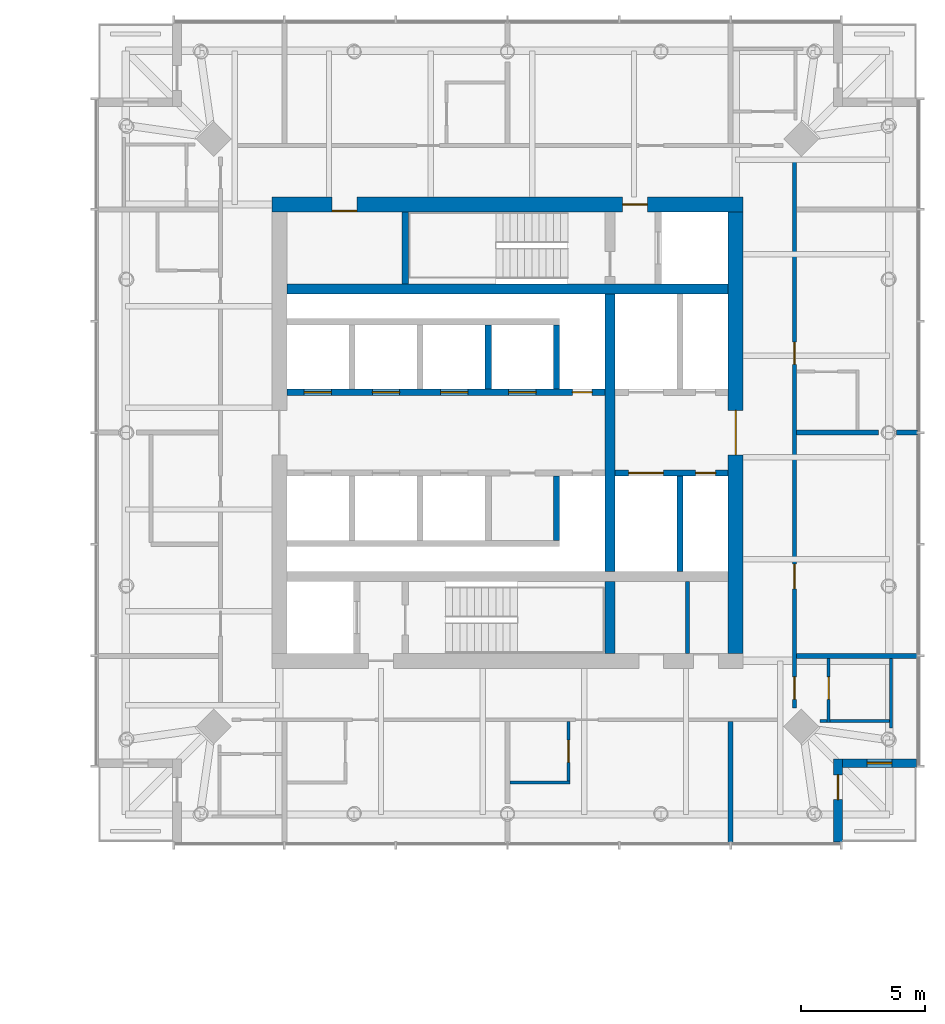
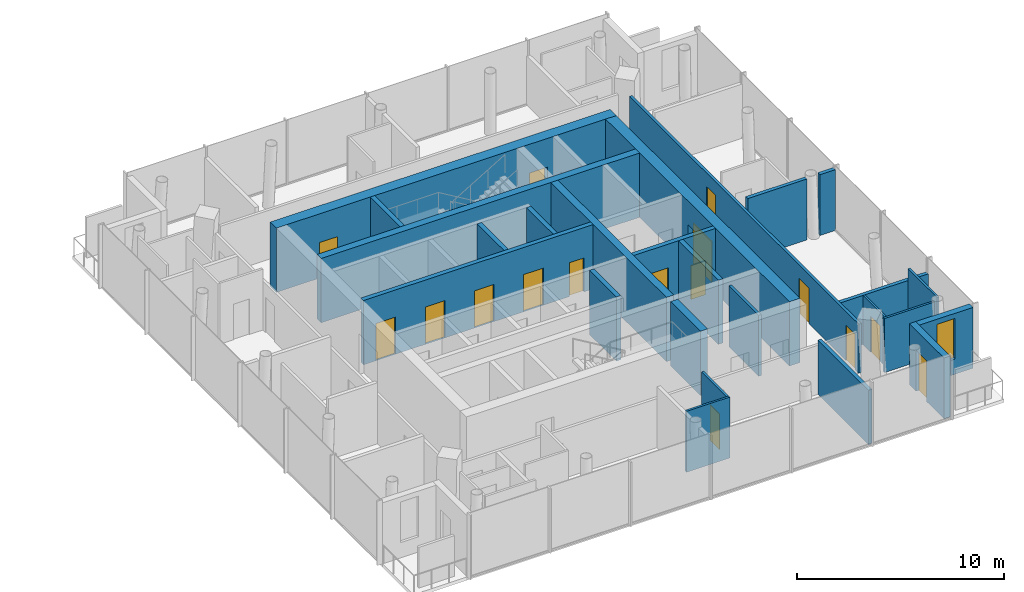
# One storey, part 14 of 18: 25 walls, 16 doors, 1 window, 17 openings.
"""IFC4 building model written with IfcOpenShell, lengths in metres."""

from ifc_helpers import new_model, si_unit, direction, frame, frame_2d, origin, place, context, subcontext, project, spatial, rectangle, extrude, material, layer, layer_set, type_object, element, fill, save


model = new_model("IFC4")

# Units and contexts
model_context = context("Model", 3, precision=1e-05, world=origin(), true_north=direction((0.0, 1.0)))
body_context = subcontext(model_context, "Body", "Model", "MODEL_VIEW")
ifc_project = project(units=[si_unit("LENGTHUNIT", "METRE"), si_unit("AREAUNIT", "SQUARE_METRE"), si_unit("VOLUMEUNIT", "CUBIC_METRE"), si_unit("PLANEANGLEUNIT", "RADIAN"), si_unit("MASSUNIT", "GRAM", prefix="KILO")], contexts=[model_context])

# Site, building, storey
site_placement = place(None, origin())
site = spatial("IfcSite", under=ifc_project, at=site_placement, CompositionType="ELEMENT")
building_placement = place(site_placement, origin())
building = spatial("IfcBuilding", under=site, at=building_placement, Name="Ostroluk Exchange", CompositionType="ELEMENT")
storey_placement = place(building_placement, frame((0.0, 0.0, 104.60009765625)))
storey = spatial("IfcBuildingStorey", under=building, at=storey_placement, Name="L26", CompositionType="ELEMENT", Elevation=104.60009765625)

# Walls
ifc_material_1 = material(Name="Concrete blockwork", Category="masonry")
ifc_layer_1 = layer(ifc_material_1, 0.14990234375)
ifc_layer_set_1 = layer_set([ifc_layer_1], Name="Blockwork plant room wall 150")
wall_type_1 = type_object("IfcWallType", Name="Blockwork plant room wall 150", PredefinedType="SOLIDWALL", material=ifc_layer_set_1)
wall_1_placement = place(storey_placement, frame((124.2548828125, 37.10009765625, 0.0), z_axis=(0.0, 0.0, 1.0), x_axis=(0.0, 1.0, 0.0)))
element("IfcWall", 1, at=wall_1_placement, inside=storey, type_object=wall_type_1, Name="Core room wall", PredefinedType="SOLIDWALL", context=body_context, shape_type="SweptSolid", body=[
    extrude(rectangle(XDim=2.89990234375, YDim=0.14990234375, at=frame_2d((1.449951171875, 0.0))), origin(), (0.0, 0.0, 1.0), 3.599853515625),
])
ifc_material_2 = material(Name="Concrete C50/60", Category="concrete")
ifc_layer_2 = layer(ifc_material_2, 0.39990234375)
ifc_layer_set_2 = layer_set([ifc_layer_2], Name="Core cross wall 400 C50/60")
wall_type_2 = type_object("IfcWallType", Name="Core cross wall 400 C50/60", PredefinedType="SHEAR", material=ifc_layer_set_2)
wall_2_placement = place(storey_placement, frame((108.10009765625, 51.800048828125, 0.0), z_axis=(0.0, 0.0, 1.0), x_axis=(1.0, 0.0, 0.0)))
element("IfcWall", 2, at=wall_2_placement, inside=storey, type_object=wall_type_2, Name="T2 core wall XN", PredefinedType="SHEAR", context=body_context, shape_type="SweptSolid", body=[
    extrude(rectangle(XDim=17.7998046875, YDim=0.39990234375, at=frame_2d((8.89990234375, 0.0))), origin(), (0.0, 0.0, 1.0), 3.7998046875),
])
wall_3_placement = place(storey_placement, frame((121.1298828125, 37.10009765625, 0.0), z_axis=(0.0, 0.0, 1.0), x_axis=(0.0, 1.0, 0.0)))
element("IfcWall", 3, at=wall_3_placement, inside=storey, type_object=wall_type_2, Name="T2 core wall YE1", PredefinedType="SHEAR", context=body_context, shape_type="SweptSolid", body=[
    extrude(rectangle(XDim=2.89990234375, YDim=0.39990234375, at=frame_2d((1.449951171875, 0.0))), origin(), (0.0, 0.0, 1.0), 3.7998046875),
])
wall_4_placement = place(storey_placement, frame((121.1298828125, 40.39990234375, 0.0), z_axis=(0.0, 0.0, 1.0), x_axis=(0.0, 1.0, 0.0)))
element("IfcWall", 4, at=wall_4_placement, inside=storey, type_object=wall_type_2, Name="T2 core wall YE2", PredefinedType="SHEAR", context=body_context, shape_type="SweptSolid", body=[
    extrude(rectangle(XDim=11.2001953125, YDim=0.39990234375, at=frame_2d((5.60009765625, 0.0))), origin(), (0.0, 0.0, 1.0), 3.7998046875),
])
ifc_material_3 = material(Name="Concrete C40/50", Category="concrete")
ifc_layer_3 = layer(ifc_material_3, 0.25)
ifc_layer_set_3 = layer_set([ifc_layer_3], Name="Core shaft wall 250")
wall_type_3 = type_object("IfcWallType", Name="Core shaft wall 250", PredefinedType="SHEAR", material=ifc_layer_set_3)
wall_5_placement = place(storey_placement, frame((112.875, 52.0, 0.0), z_axis=(0.0, 0.0, 1.0), x_axis=(0.0, 1.0, 0.0)))
element("IfcWall", 5, at=wall_5_placement, inside=storey, type_object=wall_type_3, Name="Stair shaft wall", PredefinedType="SHEAR", context=body_context, shape_type="SweptSolid", body=[
    extrude(rectangle(XDim=2.89990234375, YDim=0.25, at=frame_2d((1.449951171875, 0.0))), origin(), (0.0, 0.0, 1.0), 3.7998046875),
])
for number, where, z_axis, x_axis, name in (
    (6, (116.22509765625, 47.75, 0.0), (0.0, 0.0, 1.0), (0.0, 1.0, 0.0), "Lift shaft wall"),
    (7, (118.97509765625, 47.75, 0.0), (0.0, 0.0, 1.0), (0.0, 1.0, 0.0), "Lift shaft wall"),
):
    element("IfcWall", number, at=place(storey_placement, frame(where, z_axis=z_axis, x_axis=x_axis)), inside=storey, type_object=wall_type_3, Name=name, PredefinedType="SHEAR", context=body_context, shape_type="SweptSolid", body=[
        extrude(rectangle(XDim=2.60009765625, YDim=0.25, at=frame_2d((1.300048828125, 0.0))), origin(), (0.0, 0.0, 1.0), 3.7998046875),
    ])

# Wall, openings, doors
wall_6_placement = place(storey_placement, frame((108.10009765625, 47.625, 0.0), z_axis=(0.0, 0.0, 1.0), x_axis=(1.0, 0.0, 0.0)))
wall_6 = element("IfcWall", 8, at=wall_6_placement, inside=storey, type_object=wall_type_3, Name="Lift shaft front wall", PredefinedType="SHEAR", context=body_context, shape_type="SweptSolid", body=[
    extrude(rectangle(XDim=12.829833984375, YDim=0.25, at=frame_2d((6.4150390625, 0.0))), origin(), (0.0, 0.0, 1.0), 3.7998046875),
])
opening_1_placement = place(wall_6_placement, frame((0.699951171875, 0.0, 0.0)))
opening_1 = element("IfcOpeningElement", 9, at=opening_1_placement, cuts=wall_6, Name="Opening LD", PredefinedType="OPENING", context=body_context, shape_type="SweptSolid", body=[
    extrude(rectangle(XDim=1.10009765625, YDim=2.199951171875, at=frame_2d((0.550048828125, 1.10009765625))), frame((0.0, 0.135009765625, 0.0), z_axis=(0.0, -1.0, 0.0), x_axis=(1.0, 0.0, 0.0)), (0.0, 0.0, 1.0), 0.27001953125),
])
opening_2_placement = place(wall_6_placement, frame((3.449951171875, 0.0, 0.0)))
opening_2 = element("IfcOpeningElement", 10, at=opening_2_placement, cuts=wall_6, Name="Opening LD", PredefinedType="OPENING", context=body_context, shape_type="SweptSolid", body=[
    extrude(rectangle(XDim=1.10009765625, YDim=2.199951171875, at=frame_2d((0.550048828125, 1.10009765625))), frame((0.0, 0.135009765625, 0.0), z_axis=(0.0, -1.0, 0.0), x_axis=(1.0, 0.0, 0.0)), (0.0, 0.0, 1.0), 0.27001953125),
])
opening_3_placement = place(wall_6_placement, frame((6.199951171875, 0.0, 0.0)))
opening_3 = element("IfcOpeningElement", 11, at=opening_3_placement, cuts=wall_6, Name="Opening LD", PredefinedType="OPENING", context=body_context, shape_type="SweptSolid", body=[
    extrude(rectangle(XDim=1.10009765625, YDim=2.199951171875, at=frame_2d((0.550048828125, 1.10009765625))), frame((0.0, 0.135009765625, 0.0), z_axis=(0.0, -1.0, 0.0), x_axis=(1.0, 0.0, 0.0)), (0.0, 0.0, 1.0), 0.27001953125),
])
opening_4_placement = place(wall_6_placement, frame((8.949951171875, 0.0, 0.0)))
opening_4 = element("IfcOpeningElement", 12, at=opening_4_placement, cuts=wall_6, Name="Opening LD", PredefinedType="OPENING", context=body_context, shape_type="SweptSolid", body=[
    extrude(rectangle(XDim=1.10009765625, YDim=2.199951171875, at=frame_2d((0.550048828125, 1.10009765625))), frame((0.0, 0.135009765625, 0.0), z_axis=(0.0, -1.0, 0.0), x_axis=(1.0, 0.0, 0.0)), (0.0, 0.0, 1.0), 0.27001953125),
])
opening_5_placement = place(wall_6_placement, frame((11.514892578125, 0.0, 0.0)))
opening_5 = element("IfcOpeningElement", 13, at=opening_5_placement, cuts=wall_6, Name="Opening RD60", PredefinedType="OPENING", context=body_context, shape_type="SweptSolid", body=[
    extrude(rectangle(XDim=0.800048828125, YDim=2.0, at=frame_2d((0.39990234375, 1.0))), frame((0.0, 0.135009765625, 0.0), z_axis=(0.0, -1.0, 0.0), x_axis=(1.0, 0.0, 0.0)), (0.0, 0.0, 1.0), 0.27001953125),
])
ifc_material_4 = material(Name="Stainless steel", Category="steel")
door_type_1 = type_object("IfcDoorType", Name="Lift landing door E 60 1100 x 2200", OperationType="DOUBLE_DOOR_SLIDING", PredefinedType="DOOR", material=ifc_material_4)
door_1_placement = place(opening_1_placement, origin())
door_1 = element("IfcDoor", 14, at=door_1_placement, inside=storey, type_object=door_type_1, Name="Lift HL1 landing door", OperationType="DOUBLE_DOOR_SLIDING", OverallHeight=2.199951171875, OverallWidth=1.10009765625, PredefinedType="DOOR", context=body_context, shape_type="SweptSolid", body=[
    extrude(rectangle(XDim=1.10009765625, YDim=2.199951171875, at=frame_2d((0.550048828125, 1.10009765625))), frame((0.0, 0.02490234375, 0.0), z_axis=(0.0, -1.0, 0.0), x_axis=(1.0, 0.0, 0.0)), (0.0, 0.0, 1.0), 0.050048828125),
])
fill(opening_1, door_1)
door_2_placement = place(opening_2_placement, origin())
door_2 = element("IfcDoor", 15, at=door_2_placement, inside=storey, type_object=door_type_1, Name="Lift HL2 landing door", OperationType="DOUBLE_DOOR_SLIDING", OverallHeight=2.199951171875, OverallWidth=1.10009765625, PredefinedType="DOOR", context=body_context, shape_type="SweptSolid", body=[
    extrude(rectangle(XDim=1.10009765625, YDim=2.199951171875, at=frame_2d((0.550048828125, 1.10009765625))), frame((0.0, 0.02490234375, 0.0), z_axis=(0.0, -1.0, 0.0), x_axis=(1.0, 0.0, 0.0)), (0.0, 0.0, 1.0), 0.050048828125),
])
fill(opening_2, door_2)
door_3_placement = place(opening_3_placement, origin())
door_3 = element("IfcDoor", 16, at=door_3_placement, inside=storey, type_object=door_type_1, Name="Lift HL3 landing door", OperationType="DOUBLE_DOOR_SLIDING", OverallHeight=2.199951171875, OverallWidth=1.10009765625, PredefinedType="DOOR", context=body_context, shape_type="SweptSolid", body=[
    extrude(rectangle(XDim=1.10009765625, YDim=2.199951171875, at=frame_2d((0.550048828125, 1.10009765625))), frame((0.0, 0.02490234375, 0.0), z_axis=(0.0, -1.0, 0.0), x_axis=(1.0, 0.0, 0.0)), (0.0, 0.0, 1.0), 0.050048828125),
])
fill(opening_3, door_3)
door_4_placement = place(opening_4_placement, origin())
door_4 = element("IfcDoor", 17, at=door_4_placement, inside=storey, type_object=door_type_1, Name="Lift HL4 landing door", OperationType="DOUBLE_DOOR_SLIDING", OverallHeight=2.199951171875, OverallWidth=1.10009765625, PredefinedType="DOOR", context=body_context, shape_type="SweptSolid", body=[
    extrude(rectangle(XDim=1.10009765625, YDim=2.199951171875, at=frame_2d((0.550048828125, 1.10009765625))), frame((0.0, 0.02490234375, 0.0), z_axis=(0.0, -1.0, 0.0), x_axis=(1.0, 0.0, 0.0)), (0.0, 0.0, 1.0), 0.050048828125),
])
fill(opening_4, door_4)
ifc_material_5 = material(Name="Steel", Category="steel")
door_type_2 = type_object("IfcDoorType", Name="Riser access door EI 60 800 x 2000", OperationType="SINGLE_SWING_LEFT", PredefinedType="DOOR", material=ifc_material_5)
door_5_placement = place(opening_5_placement, origin())
door_5 = element("IfcDoor", 18, at=door_5_placement, inside=storey, type_object=door_type_2, Name="Riser access door", OperationType="SINGLE_SWING_RIGHT", OverallHeight=2.0, OverallWidth=0.800048828125, PredefinedType="DOOR", context=body_context, shape_type="SweptSolid", body=[
    extrude(rectangle(XDim=0.800048828125, YDim=2.0, at=frame_2d((0.39990234375, 1.0))), frame((0.0, 0.02490234375, 0.0), z_axis=(0.0, -1.0, 0.0), x_axis=(1.0, 0.0, 0.0)), (0.0, 0.0, 1.0), 0.050048828125),
])
fill(opening_5, door_5)

# Walls
wall_7_placement = place(storey_placement, frame((118.97509765625, 44.25, 0.0), z_axis=(0.0, 0.0, 1.0), x_axis=(0.0, -1.0, 0.0)))
element("IfcWall", 19, at=wall_7_placement, inside=storey, type_object=wall_type_3, Name="Lift shaft wall", PredefinedType="SHEAR", context=body_context, shape_type="SweptSolid", body=[
    extrude(rectangle(XDim=2.60009765625, YDim=0.25, at=frame_2d((1.300048828125, 0.0))), origin(), (0.0, 0.0, 1.0), 3.7998046875),
])
wall_8_placement = place(storey_placement, frame((123.955078125, 44.25, 0.0), z_axis=(0.0, 0.0, 1.0), x_axis=(0.0, -1.0, 0.0)))
element("IfcWall", 20, at=wall_8_placement, inside=storey, type_object=wall_type_3, Name="Lift shaft wall", PredefinedType="SHEAR", context=body_context, shape_type="SweptSolid", body=[
    extrude(rectangle(XDim=3.85009765625, YDim=0.25, at=frame_2d((1.925048828125, 0.0))), origin(), (0.0, 0.0, 1.0), 3.7998046875),
])

# Wall, openings, doors
wall_9_placement = place(storey_placement, frame((121.330078125, 44.375, 0.0), z_axis=(0.0, 0.0, 1.0), x_axis=(1.0, 0.0, 0.0)))
wall_9 = element("IfcWall", 21, at=wall_9_placement, inside=storey, type_object=wall_type_3, Name="Lift shaft front wall", PredefinedType="SHEAR", context=body_context, shape_type="SweptSolid", body=[
    extrude(rectangle(XDim=4.56982421875, YDim=0.25, at=frame_2d((2.284912109375, 0.0))), origin(), (0.0, 0.0, 1.0), 3.7998046875),
])
opening_6_placement = place(wall_9_placement, frame((0.550048828125, 0.0, 0.0)))
opening_6 = element("IfcOpeningElement", 22, at=opening_6_placement, cuts=wall_9, Name="Opening LD3", PredefinedType="OPENING", context=body_context, shape_type="SweptSolid", body=[
    extrude(rectangle(XDim=1.39990234375, YDim=2.39990234375, at=frame_2d((0.699951171875, 1.199951171875))), frame((0.0, 0.135009765625, 0.0), z_axis=(0.0, -1.0, 0.0), x_axis=(1.0, 0.0, 0.0)), (0.0, 0.0, 1.0), 0.27001953125),
])
opening_7_placement = place(wall_9_placement, frame((3.260009765625, 0.0, 0.0)))
opening_7 = element("IfcOpeningElement", 23, at=opening_7_placement, cuts=wall_9, Name="Opening RD60", PredefinedType="OPENING", context=body_context, shape_type="SweptSolid", body=[
    extrude(rectangle(XDim=0.800048828125, YDim=2.0, at=frame_2d((0.39990234375, 1.0))), frame((0.0, 0.135009765625, 0.0), z_axis=(0.0, -1.0, 0.0), x_axis=(1.0, 0.0, 0.0)), (0.0, 0.0, 1.0), 0.27001953125),
])
ifc_material_6 = material(Name="Stainless steel", Category="steel")
door_type_3 = type_object("IfcDoorType", Name="Goods lift landing door E 60 1400 x 2400", OperationType="DOUBLE_DOOR_SLIDING", PredefinedType="DOOR", material=ifc_material_6)
door_6_placement = place(opening_6_placement, origin())
door_6 = element("IfcDoor", 24, at=door_6_placement, inside=storey, type_object=door_type_3, Name="Lift HS2 landing door", OperationType="DOUBLE_DOOR_SLIDING", OverallHeight=2.39990234375, OverallWidth=1.39990234375, PredefinedType="DOOR", context=body_context, shape_type="SweptSolid", body=[
    extrude(rectangle(XDim=1.39990234375, YDim=2.39990234375, at=frame_2d((0.699951171875, 1.199951171875))), frame((0.0, 0.02490234375, 0.0), z_axis=(0.0, -1.0, 0.0), x_axis=(1.0, 0.0, 0.0)), (0.0, 0.0, 1.0), 0.050048828125),
])
fill(opening_6, door_6)
door_7_placement = place(opening_7_placement, origin())
door_7 = element("IfcDoor", 25, at=door_7_placement, inside=storey, type_object=door_type_2, Name="Riser access door", OperationType="SINGLE_SWING_RIGHT", OverallHeight=2.0, OverallWidth=0.800048828125, PredefinedType="DOOR", context=body_context, shape_type="SweptSolid", body=[
    extrude(rectangle(XDim=0.800048828125, YDim=2.0, at=frame_2d((0.39990234375, 1.0))), frame((0.0, 0.02490234375, 0.0), z_axis=(0.0, -1.0, 0.0), x_axis=(1.0, 0.0, 0.0)), (0.0, 0.0, 1.0), 0.050048828125),
])
fill(opening_7, door_7)

ifc_material_7 = material(Name="Concrete C50/60", Category="concrete")
ifc_layer_4 = layer(ifc_material_7, 0.60009765625)
ifc_layer_set_4 = layer_set([ifc_layer_4], Name="Core wall 600 C50/60")
wall_type_4 = type_object("IfcWallType", Name="Core wall 600 C50/60", PredefinedType="SHEAR", material=ifc_layer_set_4)
wall_10_placement = place(storey_placement, frame((107.5, 55.199951171875, 0.0), z_axis=(0.0, 0.0, 1.0), x_axis=(1.0, 0.0, 0.0)))
wall_10 = element("IfcWall", 26, at=wall_10_placement, inside=storey, type_object=wall_type_4, Name="T2 core wall N", PredefinedType="SHEAR", context=body_context, shape_type="SweptSolid", body=[
    extrude(rectangle(XDim=19.0, YDim=0.60009765625, at=frame_2d((9.5, 0.0))), origin(), (0.0, 0.0, 1.0), 3.7998046875),
])
opening_8_placement = place(wall_10_placement, frame((14.139892578125, 0.0, 0.0)))
opening_8 = element("IfcOpeningElement", 27, at=opening_8_placement, cuts=wall_10, Name="Opening FD60", PredefinedType="OPENING", context=body_context, shape_type="SweptSolid", body=[
    extrude(rectangle(XDim=1.0, YDim=2.10009765625, at=frame_2d((0.5, 1.050048828125))), frame((0.0, 0.31005859375, 0.0), z_axis=(0.0, -1.0, 0.0), x_axis=(1.0, 0.0, 0.0)), (0.0, 0.0, 1.0), 0.6201171875),
])
opening_9_placement = place(wall_10_placement, frame((2.425048828125, 0.0, 0.0)))
opening_9 = element("IfcOpeningElement", 28, at=opening_9_placement, cuts=wall_10, Name="Opening FD60", PredefinedType="OPENING", context=body_context, shape_type="SweptSolid", body=[
    extrude(rectangle(XDim=1.0, YDim=2.10009765625, at=frame_2d((0.5, 1.050048828125))), frame((0.0, 0.31005859375, 0.0), z_axis=(0.0, -1.0, 0.0), x_axis=(1.0, 0.0, 0.0)), (0.0, 0.0, 1.0), 0.6201171875),
])
ifc_material_8 = material(Name="Steel", Category="steel")
door_type_4 = type_object("IfcDoorType", Name="Fire door EI 60 1000 x 2100", OperationType="SINGLE_SWING_LEFT", PredefinedType="DOOR", material=ifc_material_8)
door_8_placement = place(opening_8_placement, origin())
door_8 = element("IfcDoor", 29, at=door_8_placement, inside=storey, type_object=door_type_4, Name="Firefighting lobby door", OperationType="SINGLE_SWING_RIGHT", OverallHeight=2.10009765625, OverallWidth=1.0, PredefinedType="DOOR", context=body_context, shape_type="SweptSolid", body=[
    extrude(rectangle(XDim=1.0, YDim=2.10009765625, at=frame_2d((0.5, 1.050048828125))), frame((0.0, 0.02490234375, 0.0), z_axis=(0.0, -1.0, 0.0), x_axis=(1.0, 0.0, 0.0)), (0.0, 0.0, 1.0), 0.050048828125),
])
fill(opening_8, door_8)
door_9_placement = place(opening_9_placement, origin())
door_9 = element("IfcDoor", 30, at=door_9_placement, inside=storey, type_object=door_type_4, Name="Ice and vending room door", OperationType="SINGLE_SWING_LEFT", OverallHeight=2.10009765625, OverallWidth=1.0, PredefinedType="DOOR", context=body_context, shape_type="SweptSolid", body=[
    extrude(rectangle(XDim=1.0, YDim=2.10009765625, at=frame_2d((0.5, 1.050048828125))), frame((0.0, -0.23974609375, 0.0), z_axis=(0.0, -1.0, 0.0), x_axis=(1.0, 0.0, 0.0)), (0.0, 0.0, 1.0), 0.050048828125),
])
fill(opening_9, door_9)

# Wall, opening, door
wall_11_placement = place(storey_placement, frame((126.199951171875, 37.10009765625, 0.0), z_axis=(0.0, 0.0, 1.0), x_axis=(0.0, 1.0, 0.0)))
wall_11 = element("IfcWall", 31, at=wall_11_placement, inside=storey, type_object=wall_type_4, Name="T2 core wall E", PredefinedType="SHEAR", context=body_context, shape_type="SweptSolid", body=[
    extrude(rectangle(XDim=17.7998046875, YDim=0.60009765625, at=frame_2d((8.89990234375, 0.0))), origin(), (0.0, 0.0, 1.0), 3.7998046875),
])
opening_10_placement = place(wall_11_placement, frame((8.0, 0.0, 0.0)))
opening_10 = element("IfcOpeningElement", 32, at=opening_10_placement, cuts=wall_11, Name="Opening FD30D", PredefinedType="OPENING", context=body_context, shape_type="SweptSolid", body=[
    extrude(rectangle(XDim=1.800048828125, YDim=2.39990234375, at=frame_2d((0.89990234375, 1.199951171875))), frame((0.0, 0.31005859375, 0.0), z_axis=(0.0, -1.0, 0.0), x_axis=(1.0, 0.0, 0.0)), (0.0, 0.0, 1.0), 0.6201171875),
])
ifc_material_9 = material(Name="Timber", Category="wood")
door_type_5 = type_object("IfcDoorType", Name="Lobby double door EI 30 1800 x 2400", OperationType="DOUBLE_DOOR_SINGLE_SWING", PredefinedType="DOOR", material=ifc_material_9)
door_10_placement = place(opening_10_placement, origin())
door_10 = element("IfcDoor", 33, at=door_10_placement, inside=storey, type_object=door_type_5, Name="Lift lobby doors", OperationType="DOUBLE_DOOR_SINGLE_SWING", OverallHeight=2.39990234375, OverallWidth=1.800048828125, PredefinedType="DOOR", context=body_context, shape_type="SweptSolid", body=[
    extrude(rectangle(XDim=1.800048828125, YDim=2.39990234375, at=frame_2d((0.89990234375, 1.199951171875))), frame((0.0, 0.02490234375, 0.0), z_axis=(0.0, -1.0, 0.0), x_axis=(1.0, 0.0, 0.0)), (0.0, 0.0, 1.0), 0.050048828125),
])
fill(opening_10, door_10)

ifc_material_10 = material(Name="Limestone", Category="masonry")
ifc_layer_5 = layer(ifc_material_10, 0.35009765625)
ifc_layer_set_5 = layer_set([ifc_layer_5], Name="Limestone facade wall 350")
wall_type_5 = type_object("IfcWallType", Name="Limestone facade wall 350", PredefinedType="SOLIDWALL", material=ifc_layer_set_5)
wall_12_placement = place(storey_placement, frame((130.324951171875, 29.5, 0.0), z_axis=(0.0, 0.0, 1.0), x_axis=(0.0, 1.0, 0.0)))
wall_12 = element("IfcWall", 34, at=wall_12_placement, inside=storey, type_object=wall_type_5, Name="Hotel tower SE corner wall L26 a", PredefinedType="SOLIDWALL", context=body_context, shape_type="SweptSolid", body=[
    extrude(rectangle(XDim=3.35009765625, YDim=0.35009765625, at=frame_2d((1.675048828125, 0.0))), origin(), (0.0, 0.0, 1.0), 3.599853515625),
])
opening_11_placement = place(wall_12_placement, frame((1.699951171875, 0.0, 0.0)))
opening_11 = element("IfcOpeningElement", 35, at=opening_11_placement, cuts=wall_12, Name="Opening D-B1", PredefinedType="OPENING", context=body_context, shape_type="SweptSolid", body=[
    extrude(rectangle(XDim=1.0, YDim=2.39990234375, at=frame_2d((0.5, 1.199951171875))), frame((0.0, 0.18505859375, 0.0), z_axis=(0.0, -1.0, 0.0), x_axis=(1.0, 0.0, 0.0)), (0.0, 0.0, 1.0), 0.3701171875),
])
ifc_material_11 = material(Name="Bronze framed glazed door", Category="aluminium")
door_type_6 = type_object("IfcDoorType", Name="Balcony door 1000 x 2400", OperationType="SINGLE_SWING_LEFT", PredefinedType="DOOR", material=ifc_material_11)
door_11_placement = place(opening_11_placement, origin())
door_11 = element("IfcDoor", 36, at=door_11_placement, inside=storey, type_object=door_type_6, Name="Hotel tower SE balcony door L26", OperationType="SINGLE_SWING_RIGHT", OverallHeight=2.39990234375, OverallWidth=1.0, PredefinedType="DOOR", context=body_context, shape_type="SweptSolid", body=[
    extrude(rectangle(XDim=1.0, YDim=2.39990234375, at=frame_2d((0.5, 1.199951171875))), frame((0.0, 0.02490234375, 0.0), z_axis=(0.0, -1.0, 0.0), x_axis=(1.0, 0.0, 0.0)), (0.0, 0.0, 1.0), 0.050048828125),
])
fill(opening_11, door_11)

# Wall, opening, window
wall_13_placement = place(storey_placement, frame((130.5, 32.675048828125, 0.0), z_axis=(0.0, 0.0, 1.0), x_axis=(1.0, 0.0, 0.0)))
wall_13 = element("IfcWall", 37, at=wall_13_placement, inside=storey, type_object=wall_type_5, Name="Hotel tower SE corner wall L26 b", PredefinedType="SOLIDWALL", context=body_context, shape_type="SweptSolid", body=[
    extrude(rectangle(XDim=3.0, YDim=0.35009765625, at=frame_2d((1.5, 0.0))), origin(), (0.0, 0.0, 1.0), 3.599853515625),
])
opening_12_placement = place(wall_13_placement, frame((1.0, 0.0, 0.89990234375)))
opening_12 = element("IfcOpeningElement", 38, at=opening_12_placement, cuts=wall_13, Name="Opening WN-L3", PredefinedType="OPENING", context=body_context, shape_type="SweptSolid", body=[
    extrude(rectangle(XDim=1.0, YDim=2.39990234375, at=frame_2d((0.5, 1.199951171875))), frame((0.0, 0.18505859375, 0.0), z_axis=(0.0, -1.0, 0.0), x_axis=(1.0, 0.0, 0.0)), (0.0, 0.0, 1.0), 0.3701171875),
])
ifc_material_12 = material(Name="Laminated clear glass", Category="glass")
window_type = type_object("IfcWindowType", Name="Hotel lancet window 1000 x 2400", PartitioningType="SINGLE_PANEL", PredefinedType="WINDOW", material=ifc_material_12)
window_placement = place(opening_12_placement, origin())
window = element("IfcWindow", 39, at=window_placement, inside=storey, type_object=window_type, Name="Hotel tower SE lancet window L26", OverallHeight=2.39990234375, OverallWidth=1.0, PartitioningType="SINGLE_PANEL", PredefinedType="WINDOW", context=body_context, shape_type="SweptSolid", body=[
    extrude(rectangle(XDim=1.0, YDim=2.39990234375, at=frame_2d((0.5, 1.199951171875))), frame((0.0, 0.030029296875, 0.0), z_axis=(0.0, -1.0, 0.0), x_axis=(1.0, 0.0, 0.0)), (0.0, 0.0, 1.0), 0.06005859375),
])
fill(opening_12, window)

# Wall, opening, door
ifc_material_13 = material(Name="Gypsum plasterboard partition, moisture resistant", Category="gypsum")
ifc_layer_6 = layer(ifc_material_13, 0.1201171875)
ifc_layer_set_6 = layer_set([ifc_layer_6], Name="Plasterboard en-suite wall 120")
wall_type_6 = type_object("IfcWallType", Name="Plasterboard en-suite wall 120", PredefinedType="PARTITIONING", material=ifc_layer_set_6)
wall_14_placement = place(storey_placement, frame((129.949951171875, 36.89990234375, 0.0), z_axis=(0.0, 0.0, 1.0), x_axis=(0.0, -1.0, 0.0)))
wall_14 = element("IfcWall", 40, at=wall_14_placement, inside=storey, type_object=wall_type_6, Name="En-suite wall", PredefinedType="PARTITIONING", context=body_context, shape_type="SweptSolid", body=[
    extrude(rectangle(XDim=2.579833984375, YDim=0.1201171875, at=frame_2d((1.2900390625, 0.0))), origin(), (0.0, 0.0, 1.0), 2.89990234375),
])
opening_13_placement = place(wall_14_placement, frame((0.75, 0.0, 0.0)))
opening_13 = element("IfcOpeningElement", 41, at=opening_13_placement, cuts=wall_14, Name="Opening D-02", PredefinedType="OPENING", context=body_context, shape_type="SweptSolid", body=[
    extrude(rectangle(XDim=0.89990234375, YDim=2.10009765625, at=frame_2d((0.449951171875, 1.050048828125))), frame((0.0, 0.070068359375, 0.0), z_axis=(0.0, -1.0, 0.0), x_axis=(1.0, 0.0, 0.0)), (0.0, 0.0, 1.0), 0.14013671875),
])
ifc_material_14 = material(Name="Timber", Category="wood")
door_type_7 = type_object("IfcDoorType", Name="En-suite door 900 x 2100", OperationType="SINGLE_SWING_LEFT", PredefinedType="DOOR", material=ifc_material_14)
door_12_placement = place(opening_13_placement, origin())
door_12 = element("IfcDoor", 42, at=door_12_placement, inside=storey, type_object=door_type_7, Name="En-suite door 2601", OperationType="SINGLE_SWING_LEFT", OverallHeight=2.10009765625, OverallWidth=0.89990234375, PredefinedType="DOOR", context=body_context, shape_type="SweptSolid", body=[
    extrude(rectangle(XDim=0.89990234375, YDim=2.10009765625, at=frame_2d((0.449951171875, 1.050048828125))), frame((0.0, 0.02490234375, 0.0), z_axis=(0.0, -1.0, 0.0), x_axis=(1.0, 0.0, 0.0)), (0.0, 0.0, 1.0), 0.050048828125),
])
fill(opening_13, door_12)

# Walls
wall_15_placement = place(storey_placement, frame((132.469970703125, 36.89990234375, 0.0), z_axis=(0.0, 0.0, 1.0), x_axis=(0.0, -1.0, 0.0)))
element("IfcWall", 43, at=wall_15_placement, inside=storey, type_object=wall_type_6, Name="En-suite wall", PredefinedType="PARTITIONING", context=body_context, shape_type="SweptSolid", body=[
    extrude(rectangle(XDim=2.809814453125, YDim=0.1201171875, at=frame_2d((1.40478515625, 0.0))), origin(), (0.0, 0.0, 1.0), 3.599853515625),
])
wall_16_placement = place(storey_placement, frame((129.603759765625, 34.3798828125, 0.0), z_axis=(0.0, 0.0, 1.0), x_axis=(1.0, 0.0, 0.0)))
element("IfcWall", 44, at=wall_16_placement, inside=storey, type_object=wall_type_6, Name="En-suite wall", PredefinedType="PARTITIONING", context=body_context, shape_type="SweptSolid", body=[
    extrude(rectangle(XDim=2.80615234375, YDim=0.1201171875, at=frame_2d((1.403076171875, 0.0))), origin(), (0.0, 0.0, 1.0), 3.199951171875),
])
wall_17_placement = place(storey_placement, frame((117.10009765625, 31.889892578125, 0.0), z_axis=(0.0, 0.0, 1.0), x_axis=(1.0, 0.0, 0.0)))
element("IfcWall", 45, at=wall_17_placement, inside=storey, type_object=wall_type_6, Name="En-suite wall", PredefinedType="PARTITIONING", context=body_context, shape_type="SweptSolid", body=[
    extrude(rectangle(XDim=2.419921875, YDim=0.1201171875, at=frame_2d((1.2099609375, 0.0))), origin(), (0.0, 0.0, 1.0), 3.599853515625),
])

# Wall, opening, door
wall_18_placement = place(storey_placement, frame((119.4599609375, 34.35009765625, 0.0), z_axis=(0.0, 0.0, 1.0), x_axis=(0.0, -1.0, 0.0)))
wall_18 = element("IfcWall", 46, at=wall_18_placement, inside=storey, type_object=wall_type_6, Name="En-suite wall", PredefinedType="PARTITIONING", context=body_context, shape_type="SweptSolid", body=[
    extrude(rectangle(XDim=2.400146484375, YDim=0.1201171875, at=frame_2d((1.2001953125, 0.0))), origin(), (0.0, 0.0, 1.0), 3.599853515625),
])
opening_14_placement = place(wall_18_placement, frame((0.75, 0.0, 0.0)))
opening_14 = element("IfcOpeningElement", 47, at=opening_14_placement, cuts=wall_18, Name="Opening D-02", PredefinedType="OPENING", context=body_context, shape_type="SweptSolid", body=[
    extrude(rectangle(XDim=0.89990234375, YDim=2.10009765625, at=frame_2d((0.449951171875, 1.050048828125))), frame((0.0, 0.070068359375, 0.0), z_axis=(0.0, -1.0, 0.0), x_axis=(1.0, 0.0, 0.0)), (0.0, 0.0, 1.0), 0.14013671875),
])
door_13_placement = place(opening_14_placement, origin())
door_13 = element("IfcDoor", 48, at=door_13_placement, inside=storey, type_object=door_type_7, Name="En-suite door 2609", OperationType="SINGLE_SWING_LEFT", OverallHeight=2.10009765625, OverallWidth=0.89990234375, PredefinedType="DOOR", context=body_context, shape_type="SweptSolid", body=[
    extrude(rectangle(XDim=0.89990234375, YDim=2.10009765625, at=frame_2d((0.449951171875, 1.050048828125))), frame((0.0, 0.02490234375, 0.0), z_axis=(0.0, -1.0, 0.0), x_axis=(1.0, 0.0, 0.0)), (0.0, 0.0, 1.0), 0.050048828125),
])
fill(opening_14, door_13)

# Wall, openings, doors
ifc_material_15 = material(Name="Gypsum plasterboard partition", Category="gypsum")
ifc_layer_7 = layer(ifc_material_15, 0.14990234375)
ifc_layer_set_7 = layer_set([ifc_layer_7], Name="Plasterboard partition 150")
wall_type_7 = type_object("IfcWallType", Name="Plasterboard partition 150", PredefinedType="PARTITIONING", material=ifc_layer_set_7)
wall_19_placement = place(storey_placement, frame((128.574951171875, 34.8916015625, 0.0), z_axis=(0.0, 0.0, 1.0), x_axis=(0.0, 1.0, 0.0)))
wall_19 = element("IfcWall", 49, at=wall_19_placement, inside=storey, type_object=wall_type_7, Name="Corridor wall", PredefinedType="PARTITIONING", context=body_context, shape_type="SweptSolid", body=[
    extrude(rectangle(XDim=22.216796875, YDim=0.14990234375, at=frame_2d((11.1083984375, 0.0))), origin(), (0.0, 0.0, 1.0), 2.89990234375),
])
opening_15_placement = place(wall_19_placement, frame((0.3583984375, 0.0, 0.0)))
opening_15 = element("IfcOpeningElement", 50, at=opening_15_placement, cuts=wall_19, Name="Opening D-01", PredefinedType="OPENING", context=body_context, shape_type="SweptSolid", body=[
    extrude(rectangle(XDim=0.89990234375, YDim=2.10009765625, at=frame_2d((0.449951171875, 1.050048828125))), frame((0.0, 0.0849609375, 0.0), z_axis=(0.0, -1.0, 0.0), x_axis=(1.0, 0.0, 0.0)), (0.0, 0.0, 1.0), 0.169921875),
])
opening_16_placement = place(wall_19_placement, frame((4.808349609375, 0.0, 0.0)))
opening_16 = element("IfcOpeningElement", 51, at=opening_16_placement, cuts=wall_19, Name="Opening D-03", PredefinedType="OPENING", context=body_context, shape_type="SweptSolid", body=[
    extrude(rectangle(XDim=1.0, YDim=2.10009765625, at=frame_2d((0.5, 1.050048828125))), frame((0.0, 0.0849609375, 0.0), z_axis=(0.0, -1.0, 0.0), x_axis=(1.0, 0.0, 0.0)), (0.0, 0.0, 1.0), 0.169921875),
])
opening_17_placement = place(wall_19_placement, frame((13.8583984375, 0.0, 0.0)))
opening_17 = element("IfcOpeningElement", 52, at=opening_17_placement, cuts=wall_19, Name="Opening D-01", PredefinedType="OPENING", context=body_context, shape_type="SweptSolid", body=[
    extrude(rectangle(XDim=0.89990234375, YDim=2.10009765625, at=frame_2d((0.449951171875, 1.050048828125))), frame((0.0, 0.0849609375, 0.0), z_axis=(0.0, -1.0, 0.0), x_axis=(1.0, 0.0, 0.0)), (0.0, 0.0, 1.0), 0.169921875),
])
ifc_material_16 = material(Name="Timber", Category="wood")
door_type_8 = type_object("IfcDoorType", Name="Hotel room door EI 30 Sa 900 x 2100", OperationType="SINGLE_SWING_LEFT", PredefinedType="DOOR", material=ifc_material_16)
door_14_placement = place(opening_15_placement, origin())
door_14 = element("IfcDoor", 53, at=door_14_placement, inside=storey, type_object=door_type_8, Name="Room door 2601", OperationType="SINGLE_SWING_LEFT", OverallHeight=2.10009765625, OverallWidth=0.89990234375, PredefinedType="DOOR", context=body_context, shape_type="SweptSolid", body=[
    extrude(rectangle(XDim=0.89990234375, YDim=2.10009765625, at=frame_2d((0.449951171875, 1.050048828125))), frame((0.0, 0.02490234375, 0.0), z_axis=(0.0, -1.0, 0.0), x_axis=(1.0, 0.0, 0.0)), (0.0, 0.0, 1.0), 0.050048828125),
])
fill(opening_15, door_14)
door_15_placement = place(opening_17_placement, origin())
door_15 = element("IfcDoor", 54, at=door_15_placement, inside=storey, type_object=door_type_8, Name="Room door 2602", OperationType="SINGLE_SWING_RIGHT", OverallHeight=2.10009765625, OverallWidth=0.89990234375, PredefinedType="DOOR", context=body_context, shape_type="SweptSolid", body=[
    extrude(rectangle(XDim=0.89990234375, YDim=2.10009765625, at=frame_2d((0.449951171875, 1.050048828125))), frame((0.0, 0.02490234375, 0.0), z_axis=(0.0, -1.0, 0.0), x_axis=(1.0, 0.0, 0.0)), (0.0, 0.0, 1.0), 0.050048828125),
])
fill(opening_17, door_15)
ifc_material_17 = material(Name="Timber", Category="wood")
door_type_9 = type_object("IfcDoorType", Name="Internal door 1000 x 2100", OperationType="SINGLE_SWING_LEFT", PredefinedType="DOOR", material=ifc_material_17)
door_16_placement = place(opening_16_placement, origin())
door_16 = element("IfcDoor", 55, at=door_16_placement, inside=storey, type_object=door_type_9, Name="Guest lounge door", OperationType="SINGLE_SWING_LEFT", OverallHeight=2.10009765625, OverallWidth=1.0, PredefinedType="DOOR", context=body_context, shape_type="SweptSolid", body=[
    extrude(rectangle(XDim=1.0, YDim=2.10009765625, at=frame_2d((0.5, 1.050048828125))), frame((0.0, 0.02490234375, 0.0), z_axis=(0.0, -1.0, 0.0), x_axis=(1.0, 0.0, 0.0)), (0.0, 0.0, 1.0), 0.050048828125),
])
fill(opening_16, door_16)

# Walls
ifc_material_18 = material(Name="Gypsum plasterboard partition", Category="gypsum")
ifc_layer_8 = layer(ifc_material_18, 0.199951171875)
ifc_layer_set_8 = layer_set([ifc_layer_8], Name="Plasterboard party wall 200")
wall_type_8 = type_object("IfcWallType", Name="Plasterboard party wall 200", PredefinedType="PARTITIONING", material=ifc_layer_set_8)
wall_20_placement = place(storey_placement, frame((128.64990234375, 37.0, 0.0), z_axis=(0.0, 0.0, 1.0), x_axis=(1.0, 0.0, 0.0)))
element("IfcWall", 56, at=wall_20_placement, inside=storey, type_object=wall_type_8, Name="Party wall", PredefinedType="PARTITIONING", context=body_context, shape_type="SweptSolid", body=[
    extrude(rectangle(XDim=4.89013671875, YDim=0.199951171875, at=frame_2d((2.445068359375, 0.0))), origin(), (0.0, 0.0, 1.0), 2.89990234375),
])
wall_21_placement = place(storey_placement, frame((128.64990234375, 46.0, 0.0), z_axis=(0.0, 0.0, 1.0), x_axis=(1.0, 0.0, 0.0)))
element("IfcWall", 57, at=wall_21_placement, inside=storey, type_object=wall_type_8, Name="Party wall", PredefinedType="PARTITIONING", context=body_context, shape_type="SweptSolid", body=[
    extrude(rectangle(XDim=3.303466796875, YDim=0.199951171875, at=frame_2d((1.65185546875, 0.0))), origin(), (0.0, 0.0, 1.0), 3.599853515625),
])
wall_22_placement = place(storey_placement, frame((132.676025390625, 46.0, 0.0), z_axis=(0.0, 0.0, 1.0), x_axis=(1.0, 0.0, 0.0)))
element("IfcWall", 58, at=wall_22_placement, inside=storey, type_object=wall_type_8, Name="Party wall", PredefinedType="PARTITIONING", context=body_context, shape_type="SweptSolid", body=[
    extrude(rectangle(XDim=0.864013671875, YDim=0.199951171875, at=frame_2d((0.43212890625, 0.0))), origin(), (0.0, 0.0, 1.0), 3.599853515625),
])
wall_23_placement = place(storey_placement, frame((126.0, 34.35009765625, 0.0), z_axis=(0.0, 0.0, 1.0), x_axis=(0.0, -1.0, 0.0)))
element("IfcWall", 59, at=wall_23_placement, inside=storey, type_object=wall_type_8, Name="Party wall", PredefinedType="PARTITIONING", context=body_context, shape_type="SweptSolid", body=[
    extrude(rectangle(XDim=4.89013671875, YDim=0.199951171875, at=frame_2d((2.445068359375, 0.0))), origin(), (0.0, 0.0, 1.0), 3.199951171875),
])

save(model, "model.ifc")
